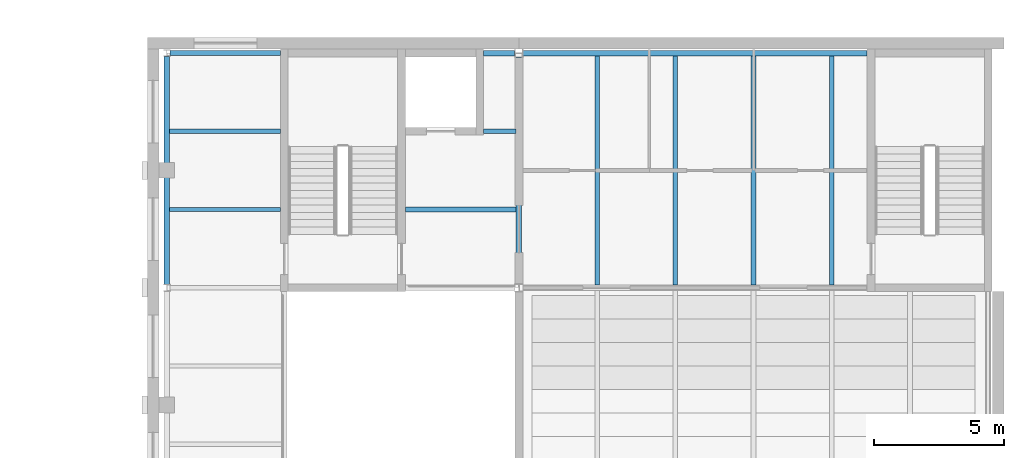
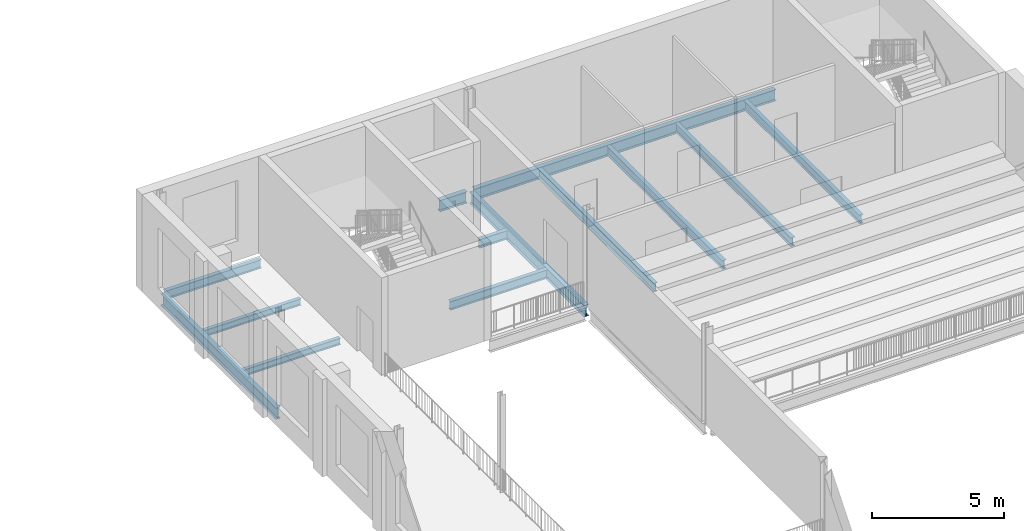
# One storey, part 27 of 74: 13 beams.
"""IFC4 building model written with IfcOpenShell, lengths in metres."""

from ifc_helpers import new_model, si_unit, direction, frame, origin, origin_2d, place, context, subcontext, project, spatial, i_section, extrude, material, material_profile, profile_set, type_object, element, save


model = new_model("IFC4")

# Units and contexts
model_context = context("Model", 3, precision=1e-05, world=origin(), true_north=direction((0.0, 1.0)))
body_context = subcontext(model_context, "Body", "Model", "MODEL_VIEW")
ifc_project = project(units=[si_unit("LENGTHUNIT", "METRE"), si_unit("AREAUNIT", "SQUARE_METRE"), si_unit("VOLUMEUNIT", "CUBIC_METRE"), si_unit("PLANEANGLEUNIT", "RADIAN"), si_unit("MASSUNIT", "GRAM", prefix="KILO")], contexts=[model_context])

# Site, building, storey
site_placement = place(None, origin())
site = spatial("IfcSite", under=ifc_project, at=site_placement, CompositionType="ELEMENT")
building_placement = place(site_placement, origin())
building = spatial("IfcBuilding", under=site, at=building_placement, Name="Hortulan Conservatory and Botanical Research Centre", CompositionType="ELEMENT")
storey_placement = place(building_placement, frame((0.0, 0.0, 6.0)))
storey = spatial("IfcBuildingStorey", under=building, at=storey_placement, Name="L01", CompositionType="ELEMENT", Elevation=6.0)

# Beams
ifc_material = material(Name="Steel Grade 300PLUS (AS/NZS 3679.1, 280 MPa minimum yield)", Category="steel")
ifc_material_profile_1 = material_profile(ifc_material, i_section(OverallWidth=0.177978515625, OverallDepth=0.403076171875, WebThickness=0.007568359375, FlangeThickness=0.010986328125, FilletRadius=0.011474609375, at=origin_2d()), Name="410UB53.7")
ifc_profile_set_1 = profile_set([ifc_material_profile_1], Name="Steel Grade 300PLUS (AS/NZS 3679.1, 280 MPa minimum yield)")
beam_type_1 = type_object("IfcBeamType", Name="Primary Beam 410UB53.7", PredefinedType="BEAM", material=ifc_profile_set_1)
beam_1_placement = place(storey_placement, frame((76.6279296875, 72.0, -0.33154296875), z_axis=(1.0, 0.0, 0.0), x_axis=(0.0, 1.0, 0.0)))
element("IfcBeam", 1, at=beam_1_placement, inside=storey, type_object=beam_type_1, Name="410UB53.7 girder", PredefinedType="BEAM", context=body_context, shape_type="SweptSolid", body=[
    extrude(i_section(OverallWidth=0.177978515625, OverallDepth=0.403076171875, WebThickness=0.007568359375, FlangeThickness=0.010986328125, FilletRadius=0.011474609375, at=origin_2d()), origin(), (0.0, 0.0, 1.0), 4.22216796875),
])
ifc_material_profile_2 = material_profile(ifc_material, i_section(OverallWidth=0.208984375, OverallDepth=0.528076171875, WebThickness=0.009521484375, FlangeThickness=0.01318359375, FilletRadius=0.013916015625, at=origin_2d()), Name="530UB82.0")
ifc_profile_set_2 = profile_set([ifc_material_profile_2], Name="Steel Grade 300PLUS (AS/NZS 3679.1, 280 MPa minimum yield)")
beam_type_2 = type_object("IfcBeamType", Name="Primary Beam 530UB82.0", PredefinedType="BEAM", material=ifc_profile_set_2)
beam_2_placement = place(storey_placement, frame((76.5, 63.1298828125, -0.39404296875), z_axis=(0.0, 1.0, 0.0), x_axis=(-1.0, 0.0, 0.0)))
element("IfcBeam", 2, at=beam_2_placement, inside=storey, type_object=beam_type_2, Name="530UB82.0 girder", PredefinedType="BEAM", context=body_context, shape_type="SweptSolid", body=[
    extrude(i_section(OverallWidth=0.208984375, OverallDepth=0.528076171875, WebThickness=0.009521484375, FlangeThickness=0.01318359375, FilletRadius=0.013916015625, at=origin_2d()), origin(), (0.0, 0.0, 1.0), 8.740234375),
])
beam_3_placement = place(storey_placement, frame((88.64990234375, 72.0, -0.39404296875), z_axis=(1.0, 0.0, 0.0), x_axis=(0.0, 1.0, 0.0)))
element("IfcBeam", 3, at=beam_3_placement, inside=storey, type_object=beam_type_2, Name="530UB82.0 girder", PredefinedType="BEAM", context=body_context, shape_type="SweptSolid", body=[
    extrude(i_section(OverallWidth=0.208984375, OverallDepth=0.528076171875, WebThickness=0.009521484375, FlangeThickness=0.01318359375, FilletRadius=0.013916015625, at=origin_2d()), origin(), (0.0, 0.0, 1.0), 1.189697265625),
])
beam_4_placement = place(storey_placement, frame((90.160400390625, 72.0, -0.39404296875), z_axis=(1.0, 0.0, 0.0), x_axis=(0.0, 1.0, 0.0)))
element("IfcBeam", 4, at=beam_4_placement, inside=storey, type_object=beam_type_2, Name="530UB82.0 girder", PredefinedType="BEAM", context=body_context, shape_type="SweptSolid", body=[
    extrude(i_section(OverallWidth=0.208984375, OverallDepth=0.528076171875, WebThickness=0.009521484375, FlangeThickness=0.01318359375, FilletRadius=0.013916015625, at=origin_2d()), origin(), (0.0, 0.0, 1.0), 13.189697265625),
])
ifc_material_profile_3 = material_profile(ifc_material, i_section(OverallWidth=0.208984375, OverallDepth=0.532958984375, WebThickness=0.01025390625, FlangeThickness=0.015625, FilletRadius=0.013916015625, at=origin_2d()), Name="530UB92.4")
ifc_profile_set_3 = profile_set([ifc_material_profile_3], Name="Steel Grade 300PLUS (AS/NZS 3679.1, 280 MPa minimum yield)")
beam_type_3 = type_object("IfcBeamType", Name="Primary Beam 530UB92.4", PredefinedType="BEAM", material=ifc_profile_set_3)
beam_5_placement = place(storey_placement, frame((90.0, 63.160400390625, -0.396484375), z_axis=(0.0, 1.0, 0.0), x_axis=(-1.0, 0.0, 0.0)))
element("IfcBeam", 5, at=beam_5_placement, inside=storey, type_object=beam_type_3, Name="530UB92.4 girder", PredefinedType="BEAM", context=body_context, shape_type="SweptSolid", body=[
    extrude(i_section(OverallWidth=0.208984375, OverallDepth=0.532958984375, WebThickness=0.01025390625, FlangeThickness=0.015625, FilletRadius=0.013916015625, at=origin_2d()), origin(), (0.0, 0.0, 1.0), 8.68505859375),
])
ifc_material_profile_4 = material_profile(ifc_material, i_section(OverallWidth=0.1650390625, OverallDepth=0.303955078125, WebThickness=0.006103515625, FlangeThickness=0.01025390625, FilletRadius=0.011474609375, at=origin_2d()), Name="310UB40.4")
ifc_profile_set_4 = profile_set([ifc_material_profile_4], Name="Steel Grade 300PLUS (AS/NZS 3679.1, 280 MPa minimum yield)")
beam_type_4 = type_object("IfcBeamType", Name="Secondary Beam 310UB40.4", PredefinedType="JOIST", material=ifc_profile_set_4)
for number, where, z_axis, x_axis, name in (
    (6, (76.6044921875, 66.0, -0.281982421875), (1.0, 0.0, 0.0), (0.0, 1.0, 0.0), "310UB40.4 secondary beam"),
    (7, (76.6044921875, 69.0, -0.281982421875), (1.0, 0.0, 0.0), (0.0, 1.0, 0.0), "310UB40.4 secondary beam"),
):
    element("IfcBeam", number, at=place(storey_placement, frame(where, z_axis=z_axis, x_axis=x_axis)), inside=storey, type_object=beam_type_4, Name=name, PredefinedType="JOIST", context=body_context, shape_type="SweptSolid", body=[
        extrude(i_section(OverallWidth=0.1650390625, OverallDepth=0.303955078125, WebThickness=0.006103515625, FlangeThickness=0.01025390625, FilletRadius=0.011474609375, at=origin_2d()), origin(), (0.0, 0.0, 1.0), 4.24560546875),
    ])
ifc_material_profile_5 = material_profile(ifc_material, i_section(OverallWidth=0.177978515625, OverallDepth=0.406005859375, WebThickness=0.0078125, FlangeThickness=0.0126953125, FilletRadius=0.011474609375, at=origin_2d()), Name="410UB59.7")
ifc_profile_set_5 = profile_set([ifc_material_profile_5], Name="Steel Grade 300PLUS (AS/NZS 3679.1, 280 MPa minimum yield)")
beam_type_5 = type_object("IfcBeamType", Name="Secondary Beam 410UB59.7", PredefinedType="JOIST", material=ifc_profile_set_5)
beam_6_placement = place(storey_placement, frame((85.64990234375, 66.0, -0.3330078125), z_axis=(1.0, 0.0, 0.0), x_axis=(0.0, 1.0, 0.0)))
element("IfcBeam", 8, at=beam_6_placement, inside=storey, type_object=beam_type_5, Name="410UB59.7 secondary beam", PredefinedType="JOIST", context=body_context, shape_type="SweptSolid", body=[
    extrude(i_section(OverallWidth=0.177978515625, OverallDepth=0.406005859375, WebThickness=0.0078125, FlangeThickness=0.0126953125, FilletRadius=0.011474609375, at=origin_2d()), origin(), (0.0, 0.0, 1.0), 4.24560546875),
])
beam_7_placement = place(storey_placement, frame((88.64990234375, 69.0, -0.3330078125), z_axis=(1.0, 0.0, 0.0), x_axis=(0.0, 1.0, 0.0)))
element("IfcBeam", 9, at=beam_7_placement, inside=storey, type_object=beam_type_5, Name="410UB59.7 secondary beam", PredefinedType="JOIST", context=body_context, shape_type="SweptSolid", body=[
    extrude(i_section(OverallWidth=0.177978515625, OverallDepth=0.406005859375, WebThickness=0.0078125, FlangeThickness=0.0126953125, FilletRadius=0.011474609375, at=origin_2d()), origin(), (0.0, 0.0, 1.0), 1.24560546875),
])
for number, where, z_axis, x_axis, name in (
    (10, (93.0, 63.1044921875, -0.3330078125), (0.0, 1.0, 0.0), (-1.0, 0.0, 0.0), "410UB59.7 secondary beam"),
    (11, (96.0, 63.1044921875, -0.3330078125), (0.0, 1.0, 0.0), (-1.0, 0.0, 0.0), "410UB59.7 secondary beam"),
    (12, (99.0, 63.1044921875, -0.3330078125), (0.0, 1.0, 0.0), (-1.0, 0.0, 0.0), "410UB59.7 secondary beam"),
    (13, (102.0, 63.1044921875, -0.3330078125), (0.0, 1.0, 0.0), (-1.0, 0.0, 0.0), "410UB59.7 secondary beam"),
):
    element("IfcBeam", number, at=place(storey_placement, frame(where, z_axis=z_axis, x_axis=x_axis)), inside=storey, type_object=beam_type_5, Name=name, PredefinedType="JOIST", context=body_context, shape_type="SweptSolid", body=[
        extrude(i_section(OverallWidth=0.177978515625, OverallDepth=0.406005859375, WebThickness=0.0078125, FlangeThickness=0.0126953125, FilletRadius=0.011474609375, at=origin_2d()), origin(), (0.0, 0.0, 1.0), 8.791015625),
    ])

save(model, "model.ifc")
